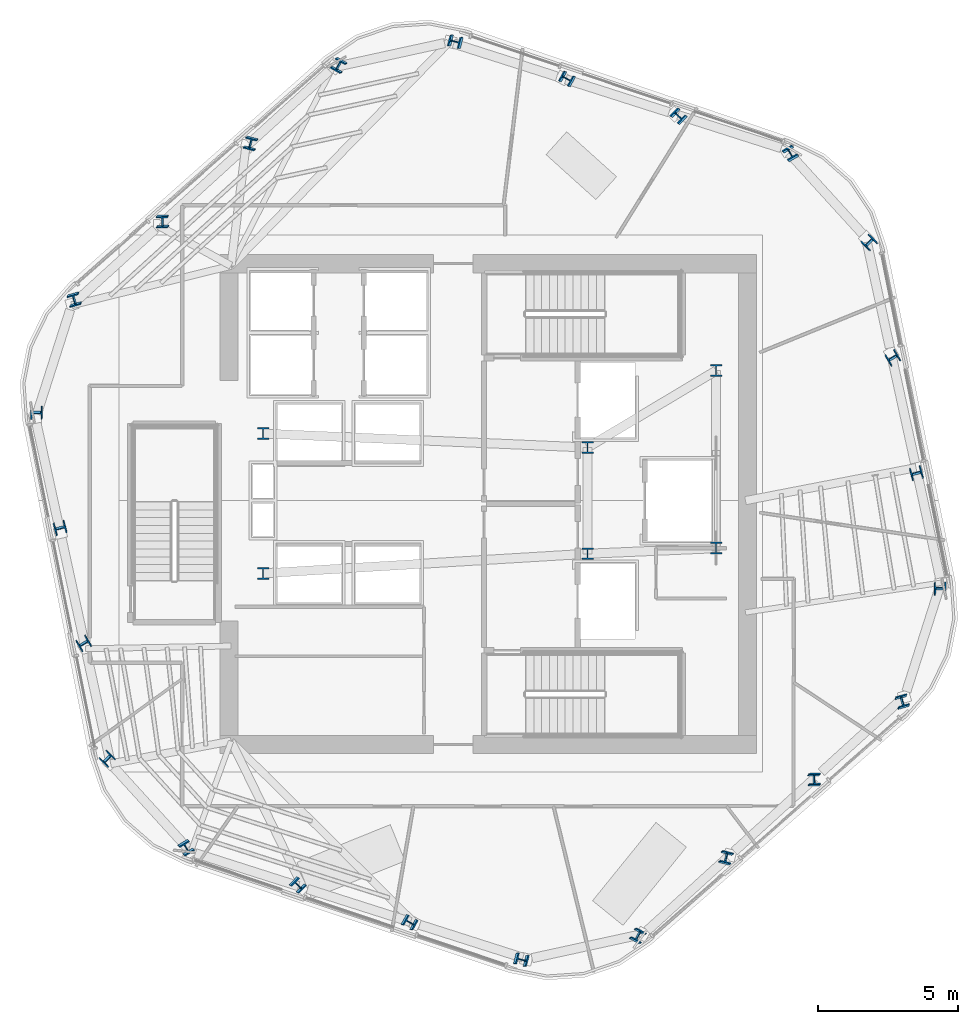
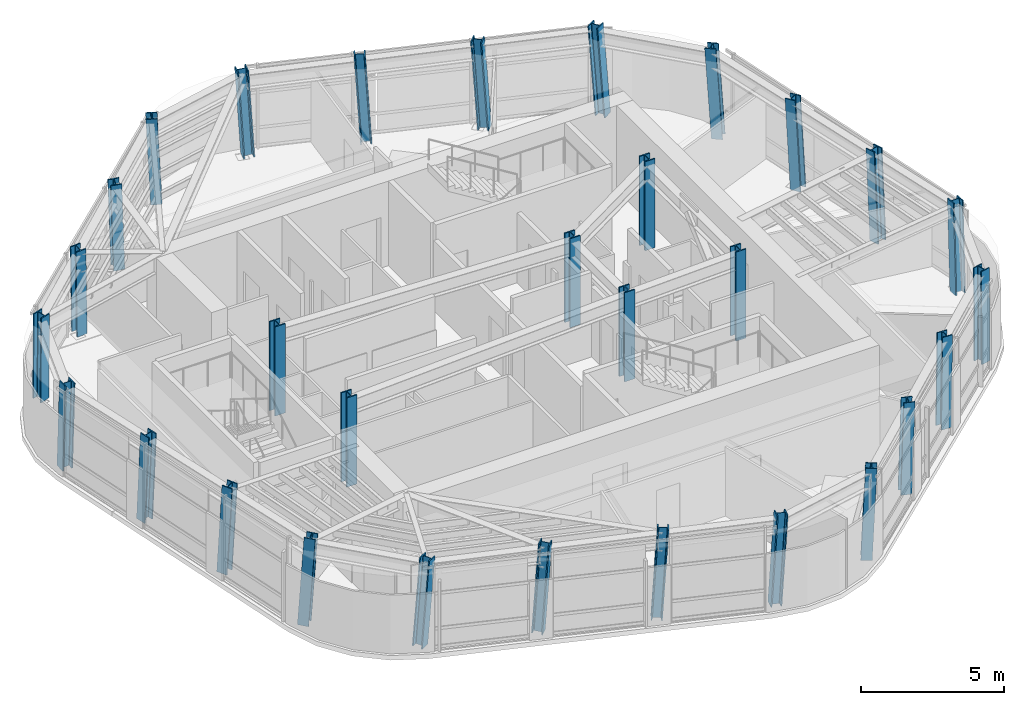
# One storey, part 1 of 15: 30 columns.
"""IFC4 building model written with IfcOpenShell, lengths in metres."""

from ifc_helpers import new_model, si_unit, direction, frame, origin, origin_2d, place, context, subcontext, project, spatial, i_section, extrude, material, material_profile, profile_set, type_object, element, save


model = new_model("IFC4")

# Units and contexts
model_context = context("Model", 3, precision=1e-05, world=origin(), true_north=direction((0.0, 1.0)))
body_context = subcontext(model_context, "Body", "Model", "MODEL_VIEW")
ifc_project = project(units=[si_unit("LENGTHUNIT", "METRE"), si_unit("AREAUNIT", "SQUARE_METRE"), si_unit("VOLUMEUNIT", "CUBIC_METRE"), si_unit("PLANEANGLEUNIT", "RADIAN"), si_unit("MASSUNIT", "GRAM", prefix="KILO")], contexts=[model_context])

# Site, building, storey
site_placement = place(None, origin())
site = spatial("IfcSite", under=ifc_project, at=site_placement, CompositionType="ELEMENT")
building_placement = place(site_placement, origin())
building = spatial("IfcBuilding", under=site, at=building_placement, Name="Valkerne Bourse Tower", CompositionType="ELEMENT")
storey_placement = place(building_placement, frame((0.0, 0.0, 201.800048828125)))
storey = spatial("IfcBuildingStorey", under=building, at=storey_placement, Name="L51", CompositionType="ELEMENT", Elevation=201.800048828125)

# Columns
ifc_material = material(Name="Steel ASTM A913 Grade 65", Category="steel")
ifc_material_profile_1 = material_profile(ifc_material, i_section(OverallWidth=0.40380859375, OverallDepth=0.406494140625, WebThickness=0.027099609375, FlangeThickness=0.043701171875, FilletRadius=0.025390625, at=origin_2d()), Name="W14X233")
ifc_profile_set_1 = profile_set([ifc_material_profile_1], Name="Steel ASTM A913 Grade 65")
column_type_1 = type_object("IfcColumnType", Name="COL-W14X233", PredefinedType="COLUMN", material=ifc_profile_set_1)
column_1_placement = place(storey_placement, frame((57.6357421875, 39.3896484375, 0.010009765625), z_axis=(-0.051729054916, 0.04451404352, 0.997668584655), x_axis=(0.859402231222, 0.510836553782, 0.021767413509)))
element("IfcColumn", 1, at=column_1_placement, inside=storey, type_object=column_type_1, Name="L51 Helical Perimeter Tube Column F1-C1", PredefinedType="COLUMN", context=body_context, shape_type="SweptSolid", body=[
    extrude(i_section(OverallWidth=0.40380859375, OverallDepth=0.406494140625, WebThickness=0.027099609375, FlangeThickness=0.043701171875, FilletRadius=0.025390625, at=origin_2d()), origin(), (0.0, 0.0, 1.0), 3.789794921875),
])
for number, where, z_axis, x_axis, name in (
    (2, (53.643798828125, 40.733154296875, 0.010009765625), (-0.05715776984, 0.027966710384, 0.997973372619), (0.702466982495, 0.711426874888, 0.020296309793), "L51 Helical Perimeter Tube Column F1-C2"),
    (3, (49.65185546875, 42.07666015625, 0.010009765625), (-0.062635038374, 0.011341323821, 0.997972056894), (0.482085690919, 0.875888793884, 0.020302890415), "L51 Helical Perimeter Tube Column F1-C3"),
):
    element("IfcColumn", number, at=place(storey_placement, frame(where, z_axis=z_axis, x_axis=x_axis)), inside=storey, type_object=column_type_1, Name=name, PredefinedType="COLUMN", context=body_context, shape_type="SweptSolid", body=[
        extrude(i_section(OverallWidth=0.40380859375, OverallDepth=0.406494140625, WebThickness=0.027099609375, FlangeThickness=0.043701171875, FilletRadius=0.025390625, at=origin_2d()), origin(), (0.0, 0.0, 1.0), 3.78857421875),
    ])
for number, where, z_axis, x_axis, name in (
    (4, (45.659912109375, 43.420166015625, 0.010009765625), (-0.068027310996, -0.005282423771, 0.997669474805), (0.243886131461, 0.969559650195, 0.021763262487), "L51 Helical Perimeter Tube Column F1-C4"),
    (5, (41.488037109375, 42.578857421875, 0.010009765625), (-0.064419809966, -0.022482513678, 0.997669596942), (-0.870092593068, 0.490818630903, -0.04512151423), "L51 Helical Perimeter Tube Column F2-C1"),
):
    element("IfcColumn", number, at=place(storey_placement, frame(where, z_axis=z_axis, x_axis=x_axis)), inside=storey, type_object=column_type_1, Name=name, PredefinedType="COLUMN", context=body_context, shape_type="SweptSolid", body=[
        extrude(i_section(OverallWidth=0.40380859375, OverallDepth=0.406494140625, WebThickness=0.027099609375, FlangeThickness=0.043701171875, FilletRadius=0.025390625, at=origin_2d()), origin(), (0.0, 0.0, 1.0), 3.789794921875),
    ])
for number, where, z_axis, x_axis, name in (
    (6, (38.32861328125, 39.79345703125, 0.010009765625), (-0.052775851695, -0.035570537406, 0.997972668136), (-0.966507964145, 0.253161831466, -0.042088505951), "L51 Helical Perimeter Tube Column F2-C2"),
    (7, (35.169189453125, 37.008056640625, 0.010009765625), (-0.041112444557, -0.048522994909, 0.997975593824), (-0.998941416069, -0.018632196493, -0.042058156351), "L51 Helical Perimeter Tube Column F2-C3"),
):
    element("IfcColumn", number, at=place(storey_placement, frame(where, z_axis=z_axis, x_axis=x_axis)), inside=storey, type_object=column_type_1, Name=name, PredefinedType="COLUMN", context=body_context, shape_type="SweptSolid", body=[
        extrude(i_section(OverallWidth=0.40380859375, OverallDepth=0.406494140625, WebThickness=0.027099609375, FlangeThickness=0.043701171875, FilletRadius=0.025390625, at=origin_2d()), origin(), (0.0, 0.0, 1.0), 3.78857421875),
    ])
for number, where, z_axis, x_axis, name in (
    (8, (32.009765625, 34.22265625, 0.010009765625), (-0.029439909782, -0.061521036852, 0.997671515949), (-0.961423468685, -0.271349658921, -0.045102954056), "L51 Helical Perimeter Tube Column F2-C4"),
    (9, (30.65234375, 30.189208984375, 0.010009765625), (-0.012690739218, -0.066996795874, 0.997672478562), (0.01218683467, -0.997689084376, -0.066842890251), "L51 Helical Perimeter Tube Column F3-C1"),
):
    element("IfcColumn", number, at=place(storey_placement, frame(where, z_axis=z_axis, x_axis=x_axis)), inside=storey, type_object=column_type_1, Name=name, PredefinedType="COLUMN", context=body_context, shape_type="SweptSolid", body=[
        extrude(i_section(OverallWidth=0.40380859375, OverallDepth=0.406494140625, WebThickness=0.027099609375, FlangeThickness=0.043701171875, FilletRadius=0.025390625, at=origin_2d()), origin(), (0.0, 0.0, 1.0), 3.789794921875),
    ])
for number, where, z_axis, x_axis, name in (
    (10, (31.48486328125, 26.060302734375, 0.010009765625), (0.004381883401, -0.063472869847, 0.997973944495), (0.26456407881, -0.962349204455, -0.06236871723), "L51 Helical Perimeter Tube Column F3-C2"),
    (11, (32.3173828125, 21.931396484375, 0.010009765625), (0.021458381714, -0.059864374212, 0.997975848683), (0.516165880566, -0.85421693909, -0.062339431436), "L51 Helical Perimeter Tube Column F3-C3"),
):
    element("IfcColumn", number, at=place(storey_placement, frame(where, z_axis=z_axis, x_axis=x_axis)), inside=storey, type_object=column_type_1, Name=name, PredefinedType="COLUMN", context=body_context, shape_type="SweptSolid", body=[
        extrude(i_section(OverallWidth=0.40380859375, OverallDepth=0.406494140625, WebThickness=0.027099609375, FlangeThickness=0.043701171875, FilletRadius=0.025390625, at=origin_2d()), origin(), (0.0, 0.0, 1.0), 3.78857421875),
    ])
for number, where, z_axis, x_axis, name in (
    (12, (33.14990234375, 17.802490234375, 0.010009765625), (0.038587396031, -0.056302811571, 0.997667783522), (0.715921955463, -0.694966747051, -0.066910194889), "L51 Helical Perimeter Tube Column F3-C4"),
    (13, (35.964111328125, 14.6103515625, 0.010009765625), (0.051729054916, -0.04451404352, 0.997668584655), (0.859402231222, 0.510836553782, -0.021767413509), "L51 Helical Perimeter Tube Column F4-C1"),
):
    element("IfcColumn", number, at=place(storey_placement, frame(where, z_axis=z_axis, x_axis=x_axis)), inside=storey, type_object=column_type_1, Name=name, PredefinedType="COLUMN", context=body_context, shape_type="SweptSolid", body=[
        extrude(i_section(OverallWidth=0.40380859375, OverallDepth=0.406494140625, WebThickness=0.027099609375, FlangeThickness=0.043701171875, FilletRadius=0.025390625, at=origin_2d()), origin(), (0.0, 0.0, 1.0), 3.789794921875),
    ])
for number, where, z_axis, x_axis, name in (
    (14, (39.956298828125, 13.266845703125, 0.010009765625), (0.05715776984, -0.027966710384, 0.997973372619), (0.702466982495, 0.711426874888, -0.020296309793), "L51 Helical Perimeter Tube Column F4-C2"),
    (15, (43.9482421875, 11.92333984375, 0.010009765625), (0.062570851451, -0.011341369573, 0.997976082822), (0.482245090121, 0.875801509014, -0.020282747913), "L51 Helical Perimeter Tube Column F4-C3"),
):
    element("IfcColumn", number, at=place(storey_placement, frame(where, z_axis=z_axis, x_axis=x_axis)), inside=storey, type_object=column_type_1, Name=name, PredefinedType="COLUMN", context=body_context, shape_type="SweptSolid", body=[
        extrude(i_section(OverallWidth=0.40380859375, OverallDepth=0.406494140625, WebThickness=0.027099609375, FlangeThickness=0.043701171875, FilletRadius=0.025390625, at=origin_2d()), origin(), (0.0, 0.0, 1.0), 3.78857421875),
    ])
for number, where, z_axis, x_axis, name in (
    (16, (47.940185546875, 10.579833984375, 0.010009765625), (0.068027310996, 0.005282423771, 0.997669474805), (0.243886131461, 0.969559650195, -0.021763262487), "L51 Helical Perimeter Tube Column F4-C4"),
    (17, (52.11181640625, 11.421142578125, 0.010009765625), (0.064419809966, 0.022482513678, 0.997669596942), (-0.870092593068, 0.490818630903, 0.04512151423), "L51 Helical Perimeter Tube Column F5-C1"),
):
    element("IfcColumn", number, at=place(storey_placement, frame(where, z_axis=z_axis, x_axis=x_axis)), inside=storey, type_object=column_type_1, Name=name, PredefinedType="COLUMN", context=body_context, shape_type="SweptSolid", body=[
        extrude(i_section(OverallWidth=0.40380859375, OverallDepth=0.406494140625, WebThickness=0.027099609375, FlangeThickness=0.043701171875, FilletRadius=0.025390625, at=origin_2d()), origin(), (0.0, 0.0, 1.0), 3.789794921875),
    ])
for number, where, z_axis, x_axis, name in (
    (18, (55.271484375, 14.20654296875, 0.010009765625), (0.052711591471, 0.035570658303, 0.99797606003), (-0.966653049063, 0.252613145286, 0.042053318134), "L51 Helical Perimeter Tube Column F5-C2"),
    (19, (58.430908203125, 16.991943359375, 0.010009765625), (0.041112444557, 0.048522994909, 0.997975593824), (-0.998941416069, -0.018632196493, 0.042058156351), "L51 Helical Perimeter Tube Column F5-C3"),
):
    element("IfcColumn", number, at=place(storey_placement, frame(where, z_axis=z_axis, x_axis=x_axis)), inside=storey, type_object=column_type_1, Name=name, PredefinedType="COLUMN", context=body_context, shape_type="SweptSolid", body=[
        extrude(i_section(OverallWidth=0.40380859375, OverallDepth=0.406494140625, WebThickness=0.027099609375, FlangeThickness=0.043701171875, FilletRadius=0.025390625, at=origin_2d()), origin(), (0.0, 0.0, 1.0), 3.78857421875),
    ])
for number, where, z_axis, x_axis, name in (
    (20, (61.59033203125, 19.77734375, 0.010009765625), (0.029439909782, 0.061521036852, 0.997671515949), (-0.961423468685, -0.271349658921, 0.045102954056), "L51 Helical Perimeter Tube Column F5-C4"),
    (21, (62.94775390625, 23.810791015625, 0.010009765625), (0.012690739218, 0.066996795874, 0.997672478562), (0.01218683467, -0.997689084376, 0.066842890251), "L51 Helical Perimeter Tube Column F6-C1"),
):
    element("IfcColumn", number, at=place(storey_placement, frame(where, z_axis=z_axis, x_axis=x_axis)), inside=storey, type_object=column_type_1, Name=name, PredefinedType="COLUMN", context=body_context, shape_type="SweptSolid", body=[
        extrude(i_section(OverallWidth=0.40380859375, OverallDepth=0.406494140625, WebThickness=0.027099609375, FlangeThickness=0.043701171875, FilletRadius=0.025390625, at=origin_2d()), origin(), (0.0, 0.0, 1.0), 3.789794921875),
    ])
for number, where, z_axis, x_axis, name in (
    (22, (62.115234375, 27.939697265625, 0.010009765625), (-0.004446321598, 0.063472851793, 0.997973660629), (0.265536226059, -0.962081135516, 0.062373081816), "L51 Helical Perimeter Tube Column F6-C2"),
    (23, (61.28271484375, 32.068603515625, 0.010009765625), (-0.021522791493, 0.05986429131, 0.997974466643), (0.516979718307, -0.853723090607, 0.062360688131), "L51 Helical Perimeter Tube Column F6-C3"),
):
    element("IfcColumn", number, at=place(storey_placement, frame(where, z_axis=z_axis, x_axis=x_axis)), inside=storey, type_object=column_type_1, Name=name, PredefinedType="COLUMN", context=body_context, shape_type="SweptSolid", body=[
        extrude(i_section(OverallWidth=0.40380859375, OverallDepth=0.406494140625, WebThickness=0.027099609375, FlangeThickness=0.043701171875, FilletRadius=0.025390625, at=origin_2d()), origin(), (0.0, 0.0, 1.0), 3.78857421875),
    ])
column_2_placement = place(storey_placement, frame((60.4501953125, 36.197509765625, 0.010009765625), z_axis=(-0.038587396031, 0.056302811571, 0.997667783522), x_axis=(0.715921955463, -0.694966747051, 0.066910194889)))
element("IfcColumn", 24, at=column_2_placement, inside=storey, type_object=column_type_1, Name="L51 Helical Perimeter Tube Column F6-C4", PredefinedType="COLUMN", context=body_context, shape_type="SweptSolid", body=[
    extrude(i_section(OverallWidth=0.40380859375, OverallDepth=0.406494140625, WebThickness=0.027099609375, FlangeThickness=0.043701171875, FilletRadius=0.025390625, at=origin_2d()), origin(), (0.0, 0.0, 1.0), 3.789794921875),
])
ifc_material_profile_2 = material_profile(ifc_material, i_section(OverallWidth=0.408935546875, OverallDepth=0.42431640625, WebThickness=0.03271484375, FlangeThickness=0.052490234375, FilletRadius=0.025390625, at=origin_2d()), Name="W14X283")
ifc_profile_set_2 = profile_set([ifc_material_profile_2], Name="Steel ASTM A913 Grade 65")
column_type_2 = type_object("IfcColumnType", Name="COL-W14X283", PredefinedType="COLUMN", material=ifc_profile_set_2)
for number, where, z_axis, x_axis, name in (
    (25, (38.75, 24.39990234375, 0.0048828125), (0.0, 0.0, 1.0), (1.0, 0.0, 0.0), "L51 Core Frame Column CC-SW"),
    (26, (38.75, 29.39990234375, 0.0048828125), (0.0, 0.0, 1.0), (1.0, 0.0, 0.0), "L51 Core Frame Column CC-NW"),
    (27, (50.35009765625, 25.10009765625, 0.0048828125), (0.0, 0.0, 1.0), (1.0, 0.0, 0.0), "L51 Core Frame Column CC-CE1"),
    (28, (50.35009765625, 28.89990234375, 0.0048828125), (0.0, 0.0, 1.0), (1.0, 0.0, 0.0), "L51 Core Frame Column CC-CE2"),
    (29, (54.949951171875, 25.300048828125, 0.0048828125), (0.0, 0.0, 1.0), (1.0, 0.0, 0.0), "L51 Core Frame Column CC-SE"),
    (30, (54.949951171875, 31.64990234375, 0.0048828125), (0.0, 0.0, 1.0), (1.0, 0.0, 0.0), "L51 Core Frame Column CC-NE"),
):
    element("IfcColumn", number, at=place(storey_placement, frame(where, z_axis=z_axis, x_axis=x_axis)), inside=storey, type_object=column_type_2, Name=name, PredefinedType="COLUMN", context=body_context, shape_type="SweptSolid", body=[
        extrude(i_section(OverallWidth=0.408935546875, OverallDepth=0.42431640625, WebThickness=0.03271484375, FlangeThickness=0.052490234375, FilletRadius=0.025390625, at=origin_2d()), origin(), (0.0, 0.0, 1.0), 3.795166015625),
    ])

save(model, "model.ifc")
